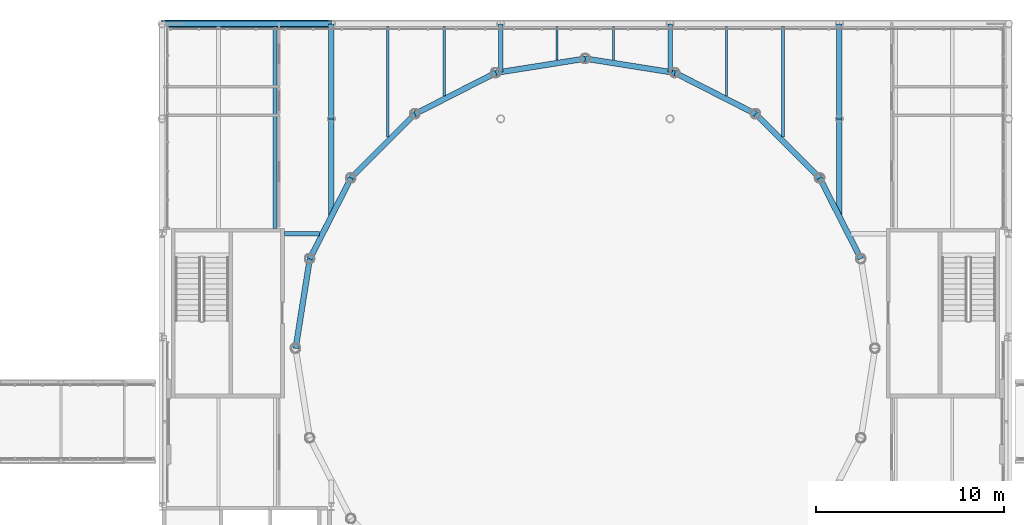
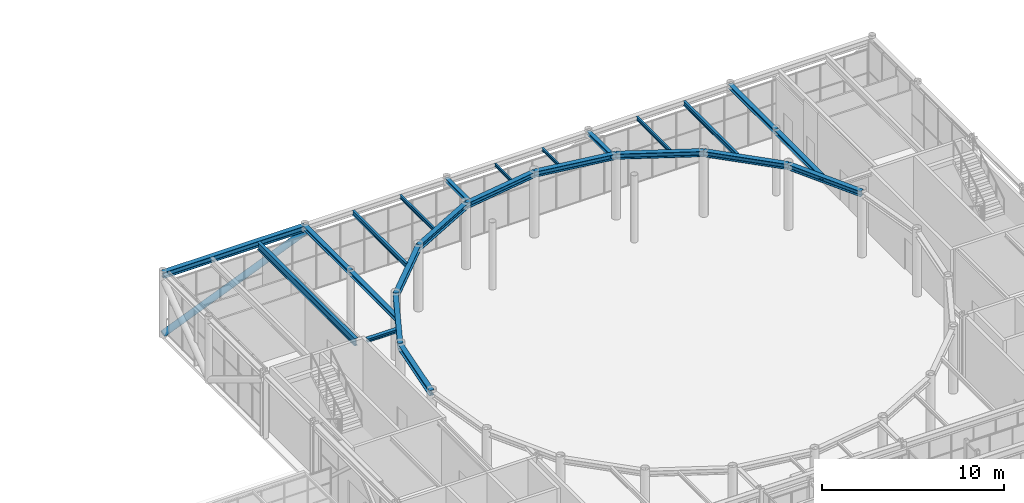
# One storey, part 59 of 149: 24 beams, 1 member.
"""IFC4 building model written with IfcOpenShell, lengths in metres."""

from ifc_helpers import new_model, si_unit, direction, frame, origin, origin_2d, place, context, subcontext, project, spatial, hollow_circle, i_section, extrude, material, material_profile, profile_set, type_object, element, save


model = new_model("IFC4")

# Units and contexts
model_context = context("Model", 3, precision=1e-05, world=origin(), true_north=direction((0.0, 1.0)))
body_context = subcontext(model_context, "Body", "Model", "MODEL_VIEW")
ifc_project = project(units=[si_unit("LENGTHUNIT", "METRE"), si_unit("AREAUNIT", "SQUARE_METRE"), si_unit("VOLUMEUNIT", "CUBIC_METRE"), si_unit("PLANEANGLEUNIT", "RADIAN"), si_unit("MASSUNIT", "GRAM", prefix="KILO")], contexts=[model_context])

# Site, building, storey
site_placement = place(None, origin())
site = spatial("IfcSite", under=ifc_project, at=site_placement, CompositionType="ELEMENT")
building_placement = place(site_placement, origin())
building = spatial("IfcBuilding", under=site, at=building_placement, Name="Kallimachos Central Library", CompositionType="ELEMENT")
storey_placement = place(building_placement, frame((0.0, 0.0, 9.89990234375)))
storey = spatial("IfcBuildingStorey", under=building, at=storey_placement, Name="L02", CompositionType="ELEMENT", Elevation=9.89990234375)

# Member
ifc_material_1 = material(Name="Steel S355J2H", Category="steel")
ifc_material_profile_1 = material_profile(ifc_material_1, hollow_circle(Radius=0.203125, WallThickness=0.01611328125, at=origin_2d()), Name="CHS 406.4x16")
ifc_profile_set_1 = profile_set([ifc_material_profile_1], Name="Steel S355J2H")
member_type = type_object("IfcMemberType", Name="CHS 406.4x16 brace", PredefinedType="BRACE", material=ifc_profile_set_1)
member_placement = place(storey_placement, frame((65.5, 121.64990234375, 0.150146484375), z_axis=(0.924892546912, 0.0, 0.380228584756), x_axis=(0.0, 1.0, 0.0)))
element("IfcMember", 1, at=member_placement, inside=storey, type_object=member_type, Name="Cantilever truss diagonal north bay 1 L02", PredefinedType="BRACE", context=body_context, shape_type="SweptSolid", body=[
    extrude(hollow_circle(Radius=0.203125, WallThickness=0.01611328125, at=origin_2d()), origin(), (0.0, 0.0, 1.0), 9.73095703125),
])

# Beams
ifc_material_2 = material(Name="Steel S355J2", Category="steel")
ifc_material_profile_2 = material_profile(ifc_material_2, i_section(OverallWidth=0.239990234375, OverallDepth=0.22998046875, WebThickness=0.007568359375, FlangeThickness=0.011962890625, FilletRadius=0.02099609375, at=origin_2d()), Name="HEA 240")
ifc_profile_set_2 = profile_set([ifc_material_profile_2], Name="Steel S355J2")
beam_type_1 = type_object("IfcBeamType", Name="HEA 240 beam", PredefinedType="BEAM", material=ifc_profile_set_2)
for number, where, z_axis, x_axis, name in (
    (2, (83.5, 119.08740234375, 4.235107421875), (0.0, 1.0, 0.0), (-1.0, 0.0, 0.0), "V1-BEM-L02-029"),
    (3, (92.5, 119.08740234375, 4.235107421875), (0.0, 1.0, 0.0), (-1.0, 0.0, 0.0), "V1-BEM-L02-031"),
):
    element("IfcBeam", number, at=place(storey_placement, frame(where, z_axis=z_axis, x_axis=x_axis)), inside=storey, type_object=beam_type_1, Name=name, PredefinedType="BEAM", context=body_context, shape_type="SweptSolid", body=[
        extrude(i_section(OverallWidth=0.239990234375, OverallDepth=0.22998046875, WebThickness=0.007568359375, FlangeThickness=0.011962890625, FilletRadius=0.02099609375, at=origin_2d()), origin(), (0.0, 0.0, 1.0), 2.5625),
    ])
beam_1_placement = place(storey_placement, frame((72.0048828125, 110.5, 4.235107421875), z_axis=(1.0, 0.0, 0.0), x_axis=(0.0, 1.0, 0.0)))
element("IfcBeam", 4, at=beam_1_placement, inside=storey, type_object=beam_type_1, Name="V1-BEM-L02-042", PredefinedType="BEAM", context=body_context, shape_type="SweptSolid", body=[
    extrude(i_section(OverallWidth=0.239990234375, OverallDepth=0.22998046875, WebThickness=0.007568359375, FlangeThickness=0.011962890625, FilletRadius=0.02099609375, at=origin_2d()), origin(), (0.0, 0.0, 1.0), 1.86376953125),
])
ifc_material_3 = material(Name="Steel S355J2", Category="steel")
ifc_material_profile_3 = material_profile(ifc_material_3, i_section(OverallWidth=0.280029296875, OverallDepth=0.27001953125, WebThickness=0.008056640625, FlangeThickness=0.012939453125, FilletRadius=0.02392578125, at=origin_2d()), Name="HEA 280")
ifc_profile_set_3 = profile_set([ifc_material_profile_3], Name="Steel S355J2")
beam_type_2 = type_object("IfcBeamType", Name="HEA 280 beam", PredefinedType="BEAM", material=ifc_profile_set_3)
beam_2_placement = place(storey_placement, frame((74.5, 111.40869140625, 4.215087890625), z_axis=(0.0, 1.0, 0.0), x_axis=(-1.0, 0.0, 0.0)))
element("IfcBeam", 5, at=beam_2_placement, inside=storey, type_object=beam_type_2, Name="V1-BEM-L02-026", PredefinedType="BEAM", context=body_context, shape_type="SweptSolid", body=[
    extrude(i_section(OverallWidth=0.280029296875, OverallDepth=0.27001953125, WebThickness=0.008056640625, FlangeThickness=0.012939453125, FilletRadius=0.02392578125, at=origin_2d()), origin(), (0.0, 0.0, 1.0), 5.19140625),
])
beam_3_placement = place(storey_placement, frame((74.5, 116.60009765625, 4.215087890625), z_axis=(0.0, 1.0, 0.0), x_axis=(-1.0, 0.0, 0.0)))
element("IfcBeam", 6, at=beam_3_placement, inside=storey, type_object=beam_type_2, Name="V1-BEM-L02-027", PredefinedType="BEAM", context=body_context, shape_type="SweptSolid", body=[
    extrude(i_section(OverallWidth=0.280029296875, OverallDepth=0.27001953125, WebThickness=0.008056640625, FlangeThickness=0.012939453125, FilletRadius=0.02392578125, at=origin_2d()), origin(), (0.0, 0.0, 1.0), 5.0498046875),
])
beam_4_placement = place(storey_placement, frame((101.5, 111.40869140625, 4.215087890625), z_axis=(0.0, 1.0, 0.0), x_axis=(-1.0, 0.0, 0.0)))
element("IfcBeam", 7, at=beam_4_placement, inside=storey, type_object=beam_type_2, Name="V1-BEM-L02-033", PredefinedType="BEAM", context=body_context, shape_type="SweptSolid", body=[
    extrude(i_section(OverallWidth=0.280029296875, OverallDepth=0.27001953125, WebThickness=0.008056640625, FlangeThickness=0.012939453125, FilletRadius=0.02392578125, at=origin_2d()), origin(), (0.0, 0.0, 1.0), 5.19140625),
])
beam_5_placement = place(storey_placement, frame((101.5, 116.60009765625, 4.215087890625), z_axis=(0.0, 1.0, 0.0), x_axis=(-1.0, 0.0, 0.0)))
element("IfcBeam", 8, at=beam_5_placement, inside=storey, type_object=beam_type_2, Name="V1-BEM-L02-034", PredefinedType="BEAM", context=body_context, shape_type="SweptSolid", body=[
    extrude(i_section(OverallWidth=0.280029296875, OverallDepth=0.27001953125, WebThickness=0.008056640625, FlangeThickness=0.012939453125, FilletRadius=0.02392578125, at=origin_2d()), origin(), (0.0, 0.0, 1.0), 5.0498046875),
])
ifc_material_4 = material(Name="Steel S355J2", Category="steel")
ifc_material_profile_4 = material_profile(ifc_material_4, i_section(OverallWidth=0.300048828125, OverallDepth=0.360107421875, WebThickness=0.012451171875, FlangeThickness=0.0224609375, FilletRadius=0.027099609375, at=origin_2d()), Name="HEB 360")
ifc_profile_set_4 = profile_set([ifc_material_profile_4], Name="Steel S355J2")
beam_type_3 = type_object("IfcBeamType", Name="HEB 360 beam", PredefinedType="BEAM", material=ifc_profile_set_4)
for number, where, z_axis, x_axis, name in (
    (9, (102.646240234375, 109.158935546875, 4.170166015625), (-0.453970566426, 0.891016680438, 0.0), (-0.891016680438, -0.453970566426, 0.0), "V1-BEM-L02-002"),
    (10, (100.458984375, 113.451904296875, 4.170166015625), (-0.707106781187, 0.707106781187, 0.0), (-0.707106781187, -0.707106781187, 0.0), "V1-BEM-L02-003"),
):
    element("IfcBeam", number, at=place(storey_placement, frame(where, z_axis=z_axis, x_axis=x_axis)), inside=storey, type_object=beam_type_3, Name=name, PredefinedType="BEAM", context=body_context, shape_type="SweptSolid", body=[
        extrude(i_section(OverallWidth=0.300048828125, OverallDepth=0.360107421875, WebThickness=0.012451171875, FlangeThickness=0.0224609375, FilletRadius=0.027099609375, at=origin_2d()), origin(), (0.0, 0.0, 1.0), 4.818115234375),
    ])
beam_6_placement = place(storey_placement, frame((97.052001953125, 116.85888671875, 4.170166015625), z_axis=(-0.891006627269, 0.453990297432, 0.0), x_axis=(-0.453990297432, -0.891006627269, 0.0)))
element("IfcBeam", 11, at=beam_6_placement, inside=storey, type_object=beam_type_3, Name="V1-BEM-L02-004", PredefinedType="BEAM", context=body_context, shape_type="SweptSolid", body=[
    extrude(i_section(OverallWidth=0.300048828125, OverallDepth=0.360107421875, WebThickness=0.012451171875, FlangeThickness=0.0224609375, FilletRadius=0.027099609375, at=origin_2d()), origin(), (0.0, 0.0, 1.0), 4.818359375),
])
for number, where, z_axis, x_axis, name in (
    (12, (92.7587890625, 119.04638671875, 4.170166015625), (-0.987690137413, 0.156423119957, 0.0), (-0.156423119957, -0.987690137413, 0.0), "V1-BEM-L02-005"),
    (13, (88.0, 119.800048828125, 4.170166015625), (-0.987690137413, -0.156423119957, 0.0), (0.156423119957, -0.987690137413, 0.0), "V1-BEM-L02-006"),
):
    element("IfcBeam", number, at=place(storey_placement, frame(where, z_axis=z_axis, x_axis=x_axis)), inside=storey, type_object=beam_type_3, Name=name, PredefinedType="BEAM", context=body_context, shape_type="SweptSolid", body=[
        extrude(i_section(OverallWidth=0.300048828125, OverallDepth=0.360107421875, WebThickness=0.012451171875, FlangeThickness=0.0224609375, FilletRadius=0.027099609375, at=origin_2d()), origin(), (0.0, 0.0, 1.0), 4.818115234375),
    ])
beam_7_placement = place(storey_placement, frame((83.2412109375, 119.04638671875, 4.170166015625), z_axis=(-0.891006627269, -0.453990297432, 0.0), x_axis=(0.453990297432, -0.891006627269, 0.0)))
element("IfcBeam", 14, at=beam_7_placement, inside=storey, type_object=beam_type_3, Name="V1-BEM-L02-007", PredefinedType="BEAM", context=body_context, shape_type="SweptSolid", body=[
    extrude(i_section(OverallWidth=0.300048828125, OverallDepth=0.360107421875, WebThickness=0.012451171875, FlangeThickness=0.0224609375, FilletRadius=0.027099609375, at=origin_2d()), origin(), (0.0, 0.0, 1.0), 4.818359375),
])
for number, where, z_axis, x_axis, name in (
    (15, (78.947998046875, 116.85888671875, 4.170166015625), (-0.707106781187, -0.707106781187, 0.0), (0.707106781187, -0.707106781187, 0.0), "V1-BEM-L02-008"),
    (16, (75.541015625, 113.451904296875, 4.170166015625), (-0.453970566426, -0.891016680438, 0.0), (0.891016680438, -0.453970566426, 0.0), "V1-BEM-L02-009"),
):
    element("IfcBeam", number, at=place(storey_placement, frame(where, z_axis=z_axis, x_axis=x_axis)), inside=storey, type_object=beam_type_3, Name=name, PredefinedType="BEAM", context=body_context, shape_type="SweptSolid", body=[
        extrude(i_section(OverallWidth=0.300048828125, OverallDepth=0.360107421875, WebThickness=0.012451171875, FlangeThickness=0.0224609375, FilletRadius=0.027099609375, at=origin_2d()), origin(), (0.0, 0.0, 1.0), 4.818115234375),
    ])
beam_8_placement = place(storey_placement, frame((73.353759765625, 109.158935546875, 4.170166015625), z_axis=(-0.15641529171, -0.987691377162, 0.0), x_axis=(0.987691377162, -0.15641529171, 0.0)))
element("IfcBeam", 17, at=beam_8_placement, inside=storey, type_object=beam_type_3, Name="V1-BEM-L02-010", PredefinedType="BEAM", context=body_context, shape_type="SweptSolid", body=[
    extrude(i_section(OverallWidth=0.300048828125, OverallDepth=0.360107421875, WebThickness=0.012451171875, FlangeThickness=0.0224609375, FilletRadius=0.027099609375, at=origin_2d()), origin(), (0.0, 0.0, 1.0), 4.818359375),
])
ifc_material_5 = material(Name="Steel S355J2", Category="steel")
ifc_material_profile_5 = material_profile(ifc_material_5, i_section(OverallWidth=0.300048828125, OverallDepth=0.39990234375, WebThickness=0.013427734375, FlangeThickness=0.02392578125, FilletRadius=0.027099609375, at=origin_2d()), Name="HEB 400")
ifc_profile_set_5 = profile_set([ifc_material_profile_5], Name="Steel S355J2")
beam_type_4 = type_object("IfcBeamType", Name="HEB 400 beam", PredefinedType="BEAM", material=ifc_profile_set_5)
beam_9_placement = place(storey_placement, frame((65.5, 121.64990234375, 4.150146484375), z_axis=(1.0, 0.0, 0.0), x_axis=(0.0, 1.0, 0.0)))
element("IfcBeam", 18, at=beam_9_placement, inside=storey, type_object=beam_type_4, Name="V1-BEM-L02-044", PredefinedType="BEAM", context=body_context, shape_type="SweptSolid", body=[
    extrude(i_section(OverallWidth=0.300048828125, OverallDepth=0.39990234375, WebThickness=0.013427734375, FlangeThickness=0.02392578125, FilletRadius=0.027099609375, at=origin_2d()), origin(), (0.0, 0.0, 1.0), 9.0),
])
ifc_material_6 = material(Name="Steel S355J2", Category="steel")
ifc_material_profile_6 = material_profile(ifc_material_6, i_section(OverallWidth=0.10009765625, OverallDepth=0.199951171875, WebThickness=0.005615234375, FlangeThickness=0.008544921875, FilletRadius=0.011962890625, at=origin_2d()), Name="IPE 200")
ifc_profile_set_6 = profile_set([ifc_material_profile_6], Name="Steel S355J2")
beam_type_5 = type_object("IfcBeamType", Name="IPE 200 beam", PredefinedType="BEAM", material=ifc_profile_set_6)
for number, where, z_axis, x_axis, name in (
    (19, (86.5, 119.71435546875, 4.25), (0.0, 1.0, 0.0), (-1.0, 0.0, 0.0), "V1-BEM-L02-058"),
    (20, (89.5, 119.71435546875, 4.25), (0.0, 1.0, 0.0), (-1.0, 0.0, 0.0), "V1-BEM-L02-060"),
):
    element("IfcBeam", number, at=place(storey_placement, frame(where, z_axis=z_axis, x_axis=x_axis)), inside=storey, type_object=beam_type_5, Name=name, PredefinedType="BEAM", context=body_context, shape_type="SweptSolid", body=[
        extrude(i_section(OverallWidth=0.10009765625, OverallDepth=0.199951171875, WebThickness=0.005615234375, FlangeThickness=0.008544921875, FilletRadius=0.011962890625, at=origin_2d()), origin(), (0.0, 0.0, 1.0), 1.78564453125),
    ])
ifc_material_7 = material(Name="Steel S355J2", Category="steel")
ifc_material_profile_7 = material_profile(ifc_material_7, i_section(OverallWidth=0.1201171875, OverallDepth=0.239990234375, WebThickness=0.006103515625, FlangeThickness=0.009765625, FilletRadius=0.014892578125, at=origin_2d()), Name="IPE 240")
ifc_profile_set_7 = profile_set([ifc_material_profile_7], Name="Steel S355J2")
beam_type_6 = type_object("IfcBeamType", Name="IPE 240 beam", PredefinedType="BEAM", material=ifc_profile_set_7)
for number, where, z_axis, x_axis, name in (
    (21, (80.5, 117.818115234375, 4.22998046875), (0.0, 1.0, 0.0), (-1.0, 0.0, 0.0), "V1-BEM-L02-056"),
    (22, (95.5, 117.818115234375, 4.22998046875), (0.0, 1.0, 0.0), (-1.0, 0.0, 0.0), "V1-BEM-L02-062"),
):
    element("IfcBeam", number, at=place(storey_placement, frame(where, z_axis=z_axis, x_axis=x_axis)), inside=storey, type_object=beam_type_6, Name=name, PredefinedType="BEAM", context=body_context, shape_type="SweptSolid", body=[
        extrude(i_section(OverallWidth=0.1201171875, OverallDepth=0.239990234375, WebThickness=0.006103515625, FlangeThickness=0.009765625, FilletRadius=0.014892578125, at=origin_2d()), origin(), (0.0, 0.0, 1.0), 3.681884765625),
    ])
ifc_material_8 = material(Name="Steel S355J2", Category="steel")
ifc_material_profile_8 = material_profile(ifc_material_8, i_section(OverallWidth=0.14990234375, OverallDepth=0.300048828125, WebThickness=0.007080078125, FlangeThickness=0.0107421875, FilletRadius=0.014892578125, at=origin_2d()), Name="IPE 300")
ifc_profile_set_8 = profile_set([ifc_material_profile_8], Name="Steel S355J2")
beam_type_7 = type_object("IfcBeamType", Name="IPE 300 beam", PredefinedType="BEAM", material=ifc_profile_set_8)
for number, where, z_axis, x_axis, name in (
    (23, (77.5, 115.622802734375, 4.2001953125), (0.0, 1.0, 0.0), (-1.0, 0.0, 0.0), "V1-BEM-L02-054"),
    (24, (98.5, 115.622802734375, 4.2001953125), (0.0, 1.0, 0.0), (-1.0, 0.0, 0.0), "V1-BEM-L02-064"),
):
    element("IfcBeam", number, at=place(storey_placement, frame(where, z_axis=z_axis, x_axis=x_axis)), inside=storey, type_object=beam_type_7, Name=name, PredefinedType="BEAM", context=body_context, shape_type="SweptSolid", body=[
        extrude(i_section(OverallWidth=0.14990234375, OverallDepth=0.300048828125, WebThickness=0.007080078125, FlangeThickness=0.0107421875, FilletRadius=0.014892578125, at=origin_2d()), origin(), (0.0, 0.0, 1.0), 5.877197265625),
    ])
ifc_material_9 = material(Name="Steel S355J2", Category="steel")
ifc_material_profile_9 = material_profile(ifc_material_9, i_section(OverallWidth=0.199951171875, OverallDepth=0.5, WebThickness=0.01025390625, FlangeThickness=0.01611328125, FilletRadius=0.02099609375, at=origin_2d()), Name="IPE 500")
ifc_profile_set_9 = profile_set([ifc_material_profile_9], Name="Steel S355J2")
beam_type_8 = type_object("IfcBeamType", Name="IPE 500 beam", PredefinedType="BEAM", material=ifc_profile_set_9)
beam_10_placement = place(storey_placement, frame((71.5, 110.780029296875, 4.10009765625), z_axis=(0.0, 1.0, 0.0), x_axis=(-1.0, 0.0, 0.0)))
element("IfcBeam", 25, at=beam_10_placement, inside=storey, type_object=beam_type_8, Name="V1-BEM-L02-052", PredefinedType="BEAM", context=body_context, shape_type="SweptSolid", body=[
    extrude(i_section(OverallWidth=0.199951171875, OverallDepth=0.5, WebThickness=0.01025390625, FlangeThickness=0.01611328125, FilletRadius=0.02099609375, at=origin_2d()), origin(), (0.0, 0.0, 1.0), 10.719970703125),
])

save(model, "model.ifc")
